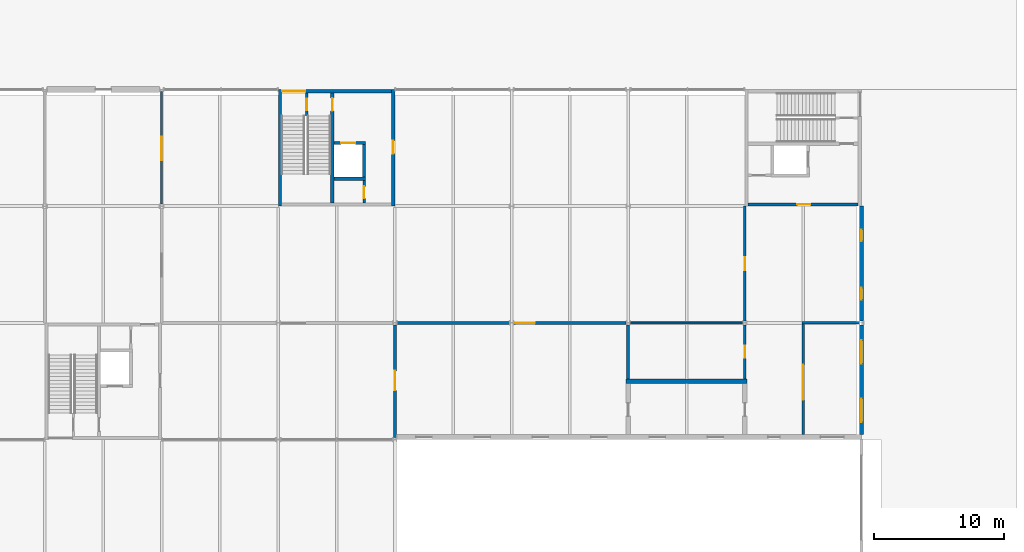
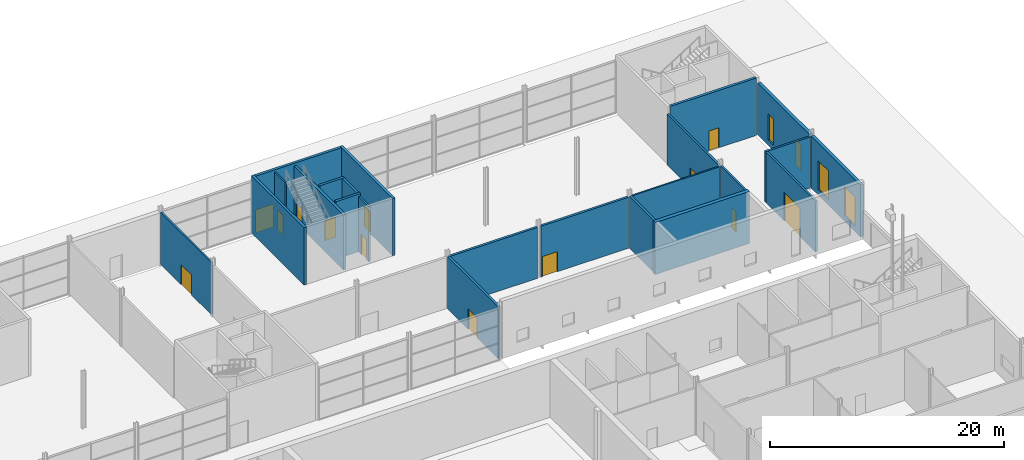
# One storey, part 79 of 97: 23 walls, 13 doors, 4 windows, 17 openings.
"""IFC4 building model written with IfcOpenShell, lengths in metres."""

from ifc_helpers import new_model, si_unit, direction, frame, frame_2d, origin, place, context, subcontext, project, spatial, rectangle, extrude, material, layer, layer_set, type_object, element, fill, save


model = new_model("IFC4")

# Units and contexts
model_context = context("Model", 3, precision=1e-05, world=origin(), true_north=direction((0.0, 1.0)))
body_context = subcontext(model_context, "Body", "Model", "MODEL_VIEW")
ifc_project = project(units=[si_unit("LENGTHUNIT", "METRE"), si_unit("AREAUNIT", "SQUARE_METRE"), si_unit("VOLUMEUNIT", "CUBIC_METRE"), si_unit("PLANEANGLEUNIT", "RADIAN"), si_unit("MASSUNIT", "GRAM", prefix="KILO")], contexts=[model_context])

# Site, building, storey
site_placement = place(None, origin())
site = spatial("IfcSite", under=ifc_project, at=site_placement, CompositionType="ELEMENT")
building_placement = place(site_placement, origin())
building = spatial("IfcBuilding", under=site, at=building_placement, Name="Corbel Yard City Hall", CompositionType="ELEMENT")
storey_placement = place(building_placement, origin())
storey = spatial("IfcBuildingStorey", under=building, at=storey_placement, Name="L00", CompositionType="ELEMENT", Elevation=0.0)

# Wall
ifc_material_1 = material(Name="Concrete N50 (50 MPa)", Category="concrete")
ifc_layer_1 = layer(ifc_material_1, 0.25)
ifc_layer_set_1 = layer_set([ifc_layer_1], Name="Concrete N50 (50 MPa)")
wall_type_1 = type_object("IfcWallType", Name="Core cell wall 250", PredefinedType="SHEAR", material=ifc_layer_set_1)
wall_1_placement = place(storey_placement, frame((135.125, 108.0, 0.0), z_axis=(0.0, 0.0, 1.0), x_axis=(0.0, 1.0, 0.0)))
element("IfcWall", 1, at=wall_1_placement, inside=storey, type_object=wall_type_1, Name="Core PC-N3 west wall", PredefinedType="SHEAR", context=body_context, shape_type="SweptSolid", body=[
    extrude(rectangle(XDim=9.0, YDim=0.25, at=frame_2d((4.5, 0.0))), origin(), (0.0, 0.0, 1.0), 6.0),
])

# Wall, opening, door
wall_2_placement = place(storey_placement, frame((143.875, 108.0, 0.0), z_axis=(0.0, 0.0, 1.0), x_axis=(0.0, 1.0, 0.0)))
wall_2 = element("IfcWall", 2, at=wall_2_placement, inside=storey, type_object=wall_type_1, Name="Core PC-N3 east wall", PredefinedType="SHEAR", context=body_context, shape_type="SweptSolid", body=[
    extrude(rectangle(XDim=9.0, YDim=0.25, at=frame_2d((4.5, 0.0))), origin(), (0.0, 0.0, 1.0), 6.0),
])
opening_1_placement = place(wall_2_placement, frame((4.050048828125, 0.0, 0.0)))
opening_1 = element("IfcOpeningElement", 3, at=opening_1_placement, cuts=wall_2, Name="Opening L00-212", PredefinedType="OPENING", context=body_context, shape_type="SweptSolid", body=[
    extrude(rectangle(XDim=1.0, YDim=2.10009765625, at=frame_2d((0.5, 1.050048828125))), frame((0.0, 0.135009765625, 0.0), z_axis=(0.0, -1.0, 0.0), x_axis=(1.0, 0.0, 0.0)), (0.0, 0.0, 1.0), 0.27001953125),
])
ifc_material_2 = material(Name="Steel Grade G250", Category="steel")
door_type_1 = type_object("IfcDoorType", Name="FS1", OperationType="SINGLE_SWING_LEFT", PredefinedType="DOOR", material=ifc_material_2)
door_1_placement = place(opening_1_placement, origin())
door_1 = element("IfcDoor", 4, at=door_1_placement, inside=storey, type_object=door_type_1, Name="Door Lift Lobby", OperationType="SINGLE_SWING_RIGHT", OverallHeight=2.10009765625, OverallWidth=1.0, PredefinedType="DOOR", context=body_context, shape_type="SweptSolid", body=[
    extrude(rectangle(XDim=1.0, YDim=2.10009765625, at=frame_2d((0.5, 1.050048828125))), frame((0.0, 0.02490234375, 0.0), z_axis=(0.0, -1.0, 0.0), x_axis=(1.0, 0.0, 0.0)), (0.0, 0.0, 1.0), 0.050048828125),
])
fill(opening_1, door_1)

wall_3_placement = place(storey_placement, frame((135.25, 116.875, 0.0), z_axis=(0.0, 0.0, 1.0), x_axis=(1.0, 0.0, 0.0)))
wall_3 = element("IfcWall", 5, at=wall_3_placement, inside=storey, type_object=wall_type_1, Name="Core PC-N3 north wall", PredefinedType="SHEAR", context=body_context, shape_type="SweptSolid", body=[
    extrude(rectangle(XDim=8.5, YDim=0.25, at=frame_2d((4.25, 0.0))), origin(), (0.0, 0.0, 1.0), 6.0),
])
opening_2_placement = place(wall_3_placement, frame((0.050048828125, 0.0, 0.0)))
opening_2 = element("IfcOpeningElement", 6, at=opening_2_placement, cuts=wall_3, Name="Opening L00-047", PredefinedType="OPENING", context=body_context, shape_type="SweptSolid", body=[
    extrude(rectangle(XDim=1.800048828125, YDim=2.39990234375, at=frame_2d((0.89990234375, 1.199951171875))), frame((0.0, 0.135009765625, 0.0), z_axis=(0.0, -1.0, 0.0), x_axis=(1.0, 0.0, 0.0)), (0.0, 0.0, 1.0), 0.27001953125),
])
ifc_material_3 = material(Name="Steel Grade G250, insulated infill", Category="steel")
door_type_2 = type_object("IfcDoorType", Name="XD2", OperationType="DOUBLE_DOOR_SINGLE_SWING", PredefinedType="DOOR", material=ifc_material_3)
door_2_placement = place(opening_2_placement, origin())
door_2 = element("IfcDoor", 7, at=door_2_placement, inside=storey, type_object=door_type_2, Name="Stair exit door PC-N3", OperationType="DOUBLE_DOOR_SINGLE_SWING", OverallHeight=2.39990234375, OverallWidth=1.800048828125, PredefinedType="DOOR", context=body_context, shape_type="SweptSolid", body=[
    extrude(rectangle(XDim=1.800048828125, YDim=2.39990234375, at=frame_2d((0.89990234375, 1.199951171875))), frame((0.0, 0.02490234375, 0.0), z_axis=(0.0, -1.0, 0.0), x_axis=(1.0, 0.0, 0.0)), (0.0, 0.0, 1.0), 0.050048828125),
])
fill(opening_2, door_2)

wall_4_placement = place(storey_placement, frame((171.25, 108.125, 0.0), z_axis=(0.0, 0.0, 1.0), x_axis=(1.0, 0.0, 0.0)))
wall_4 = element("IfcWall", 8, at=wall_4_placement, inside=storey, type_object=wall_type_1, Name="Core PC-N4 south wall", PredefinedType="SHEAR", context=body_context, shape_type="SweptSolid", body=[
    extrude(rectangle(XDim=8.5, YDim=0.25, at=frame_2d((4.25, 0.0))), origin(), (0.0, 0.0, 1.0), 6.0),
])
opening_3_placement = place(wall_4_placement, frame((3.800048828125, 0.0, 0.0)))
opening_3 = element("IfcOpeningElement", 9, at=opening_3_placement, cuts=wall_4, Name="Opening L00-213", PredefinedType="OPENING", context=body_context, shape_type="SweptSolid", body=[
    extrude(rectangle(XDim=1.0, YDim=2.10009765625, at=frame_2d((0.5, 1.050048828125))), frame((0.0, 0.135009765625, 0.0), z_axis=(0.0, -1.0, 0.0), x_axis=(1.0, 0.0, 0.0)), (0.0, 0.0, 1.0), 0.27001953125),
])
door_3_placement = place(opening_3_placement, origin())
door_3 = element("IfcDoor", 10, at=door_3_placement, inside=storey, type_object=door_type_1, Name="Door Lift Lobby", OperationType="SINGLE_SWING_RIGHT", OverallHeight=2.10009765625, OverallWidth=1.0, PredefinedType="DOOR", context=body_context, shape_type="SweptSolid", body=[
    extrude(rectangle(XDim=1.0, YDim=2.10009765625, at=frame_2d((0.5, 1.050048828125))), frame((0.0, 0.02490234375, 0.0), z_axis=(0.0, -1.0, 0.0), x_axis=(1.0, 0.0, 0.0)), (0.0, 0.0, 1.0), 0.050048828125),
])
fill(opening_3, door_3)

# Wall, openings, windows
ifc_material_4 = material(Name="Sandstone cladding", Category="masonry")
ifc_layer_2 = layer(ifc_material_4, 0.0400390625)
ifc_material_5 = material(Name="Air cavity", Category="air")
ifc_layer_3 = layer(ifc_material_5, 0.0400390625)
ifc_material_6 = material(Name="Concrete block", Category="concrete")
ifc_layer_4 = layer(ifc_material_6, 0.18994140625)
ifc_material_7 = material(Name="Gypsum plasterboard", Category="gypsum")
ifc_layer_5 = layer(ifc_material_7, 0.030029296875)
ifc_layer_set_2 = layer_set([ifc_layer_2, ifc_layer_3, ifc_layer_4, ifc_layer_5], Name="Concrete block")
wall_type_2 = type_object("IfcWallType", Name="EW1", PredefinedType="SOLIDWALL", material=ifc_layer_set_2)
wall_5_placement = place(storey_placement, frame((180.0, 90.39990234375, 0.0), z_axis=(0.0, 0.0, 1.0), x_axis=(0.0, 1.0, 0.0)))
wall_5 = element("IfcWall", 11, at=wall_5_placement, inside=storey, type_object=wall_type_2, Name="External wall", PredefinedType="SOLIDWALL", context=body_context, shape_type="SweptSolid", body=[
    extrude(rectangle(XDim=8.446533203125, YDim=0.300048828125, at=frame_2d((4.22314453125, 0.0))), origin(), (0.0, 0.0, 1.0), 5.444091796875),
])
opening_4_placement = place(wall_5_placement, frame((0.949951171875, 0.0, 0.60009765625)))
opening_4 = element("IfcOpeningElement", 12, at=opening_4_placement, cuts=wall_5, Name="Opening WN2", PredefinedType="OPENING", context=body_context, shape_type="SweptSolid", body=[
    extrude(rectangle(XDim=1.800048828125, YDim=3.0, at=frame_2d((0.89990234375, 1.5))), frame((0.0, 0.159912109375, 0.0), z_axis=(0.0, -1.0, 0.0), x_axis=(1.0, 0.0, 0.0)), (0.0, 0.0, 1.0), 0.320068359375),
])
opening_5_placement = place(wall_5_placement, frame((5.449951171875, 0.0, 0.60009765625)))
opening_5 = element("IfcOpeningElement", 13, at=opening_5_placement, cuts=wall_5, Name="Opening WN2", PredefinedType="OPENING", context=body_context, shape_type="SweptSolid", body=[
    extrude(rectangle(XDim=1.800048828125, YDim=3.0, at=frame_2d((0.89990234375, 1.5))), frame((0.0, 0.159912109375, 0.0), z_axis=(0.0, -1.0, 0.0), x_axis=(1.0, 0.0, 0.0)), (0.0, 0.0, 1.0), 0.320068359375),
])
ifc_material_8 = material(Name="Aluminium frame, double glazed low-e glass", Category="aluminium")
window_type_1 = type_object("IfcWindowType", Name="WN2", PartitioningType="SINGLE_PANEL", PredefinedType="WINDOW", material=ifc_material_8)
window_1_placement = place(opening_4_placement, origin())
window_1 = element("IfcWindow", 14, at=window_1_placement, inside=storey, type_object=window_type_1, Name="Window WN2 L00", OverallHeight=3.0, OverallWidth=1.800048828125, PartitioningType="SINGLE_PANEL", PredefinedType="WINDOW", context=body_context, shape_type="SweptSolid", body=[
    extrude(rectangle(XDim=1.800048828125, YDim=3.0, at=frame_2d((0.89990234375, 1.5))), frame((0.0, 0.030029296875, 0.0), z_axis=(0.0, -1.0, 0.0), x_axis=(1.0, 0.0, 0.0)), (0.0, 0.0, 1.0), 0.06005859375),
])
fill(opening_4, window_1)
window_2_placement = place(opening_5_placement, origin())
window_2 = element("IfcWindow", 15, at=window_2_placement, inside=storey, type_object=window_type_1, Name="Window WN2 L00", OverallHeight=3.0, OverallWidth=1.800048828125, PartitioningType="SINGLE_PANEL", PredefinedType="WINDOW", context=body_context, shape_type="SweptSolid", body=[
    extrude(rectangle(XDim=1.800048828125, YDim=3.0, at=frame_2d((0.89990234375, 1.5))), frame((0.0, 0.030029296875, 0.0), z_axis=(0.0, -1.0, 0.0), x_axis=(1.0, 0.0, 0.0)), (0.0, 0.0, 1.0), 0.06005859375),
])
fill(opening_5, window_2)

wall_6_placement = place(storey_placement, frame((180.0, 99.153564453125, 0.0), z_axis=(0.0, 0.0, 1.0), x_axis=(0.0, 1.0, 0.0)))
wall_6 = element("IfcWall", 16, at=wall_6_placement, inside=storey, type_object=wall_type_2, Name="External wall", PredefinedType="SOLIDWALL", context=body_context, shape_type="SweptSolid", body=[
    extrude(rectangle(XDim=8.846435546875, YDim=0.300048828125, at=frame_2d((4.42333984375, 0.0))), origin(), (0.0, 0.0, 1.0), 5.444091796875),
])
opening_6_placement = place(wall_6_placement, frame((1.646484375, 0.0, 0.60009765625)))
opening_6 = element("IfcOpeningElement", 17, at=opening_6_placement, cuts=wall_6, Name="Opening WN14", PredefinedType="OPENING", context=body_context, shape_type="SweptSolid", body=[
    extrude(rectangle(XDim=0.89990234375, YDim=2.699951171875, at=frame_2d((0.449951171875, 1.35009765625))), frame((0.0, 0.159912109375, 0.0), z_axis=(0.0, -1.0, 0.0), x_axis=(1.0, 0.0, 0.0)), (0.0, 0.0, 1.0), 0.320068359375),
])
opening_7_placement = place(wall_6_placement, frame((6.146484375, 0.0, 0.60009765625)))
opening_7 = element("IfcOpeningElement", 18, at=opening_7_placement, cuts=wall_6, Name="Opening WN14", PredefinedType="OPENING", context=body_context, shape_type="SweptSolid", body=[
    extrude(rectangle(XDim=0.89990234375, YDim=2.699951171875, at=frame_2d((0.449951171875, 1.35009765625))), frame((0.0, 0.159912109375, 0.0), z_axis=(0.0, -1.0, 0.0), x_axis=(1.0, 0.0, 0.0)), (0.0, 0.0, 1.0), 0.320068359375),
])
window_type_2 = type_object("IfcWindowType", Name="WN14", PartitioningType="SINGLE_PANEL", PredefinedType="WINDOW", material=ifc_material_8)
window_3_placement = place(opening_6_placement, origin())
window_3 = element("IfcWindow", 19, at=window_3_placement, inside=storey, type_object=window_type_2, Name="Window WN14 L00", OverallHeight=2.699951171875, OverallWidth=0.89990234375, PartitioningType="SINGLE_PANEL", PredefinedType="WINDOW", context=body_context, shape_type="SweptSolid", body=[
    extrude(rectangle(XDim=0.89990234375, YDim=2.699951171875, at=frame_2d((0.449951171875, 1.35009765625))), frame((0.0, 0.030029296875, 0.0), z_axis=(0.0, -1.0, 0.0), x_axis=(1.0, 0.0, 0.0)), (0.0, 0.0, 1.0), 0.06005859375),
])
fill(opening_6, window_3)
window_4_placement = place(opening_7_placement, origin())
window_4 = element("IfcWindow", 20, at=window_4_placement, inside=storey, type_object=window_type_2, Name="Window WN14 L00", OverallHeight=2.699951171875, OverallWidth=0.89990234375, PartitioningType="SINGLE_PANEL", PredefinedType="WINDOW", context=body_context, shape_type="SweptSolid", body=[
    extrude(rectangle(XDim=0.89990234375, YDim=2.699951171875, at=frame_2d((0.449951171875, 1.35009765625))), frame((0.0, 0.030029296875, 0.0), z_axis=(0.0, -1.0, 0.0), x_axis=(1.0, 0.0, 0.0)), (0.0, 0.0, 1.0), 0.06005859375),
])
fill(opening_7, window_4)

# Wall, opening, door
ifc_material_9 = material(Name="Concrete N40 (40 MPa)", Category="concrete")
ifc_layer_6 = layer(ifc_material_9, 0.25)
ifc_layer_set_3 = layer_set([ifc_layer_6], Name="Concrete N40 (40 MPa)")
wall_type_3 = type_object("IfcWallType", Name="IW2", PredefinedType="SOLIDWALL", material=ifc_layer_set_3)
wall_7_placement = place(storey_placement, frame((139.175048828125, 116.75, 0.0), z_axis=(0.0, 0.0, 1.0), x_axis=(0.0, -1.0, 0.0)))
wall_7 = element("IfcWall", 21, at=wall_7_placement, inside=storey, type_object=wall_type_3, Name="Stair enclosure wall", PredefinedType="SOLIDWALL", context=body_context, shape_type="SweptSolid", body=[
    extrude(rectangle(XDim=8.5, YDim=0.25, at=frame_2d((4.25, 0.0))), origin(), (0.0, 0.0, 1.0), 5.75),
])
opening_8_placement = place(wall_7_placement, frame((0.39990234375, 0.0, 0.0)))
opening_8 = element("IfcOpeningElement", 22, at=opening_8_placement, cuts=wall_7, Name="Opening L00-198", PredefinedType="OPENING", context=body_context, shape_type="SweptSolid", body=[
    extrude(rectangle(XDim=1.0, YDim=2.10009765625, at=frame_2d((0.5, 1.050048828125))), frame((0.0, 0.135009765625, 0.0), z_axis=(0.0, -1.0, 0.0), x_axis=(1.0, 0.0, 0.0)), (0.0, 0.0, 1.0), 0.27001953125),
])
door_4_placement = place(opening_8_placement, frame((1.0, 0.0, 0.0), z_axis=(0.0, 0.0, 1.0), x_axis=(-1.0, 0.0, 0.0)))
door_4 = element("IfcDoor", 23, at=door_4_placement, inside=storey, type_object=door_type_1, Name="Door Exit Stair 18", OperationType="SINGLE_SWING_RIGHT", OverallHeight=2.10009765625, OverallWidth=1.0, PredefinedType="DOOR", context=body_context, shape_type="SweptSolid", body=[
    extrude(rectangle(XDim=1.0, YDim=2.10009765625, at=frame_2d((0.5, 1.050048828125))), frame((0.0, 0.02490234375, 0.0), z_axis=(0.0, -1.0, 0.0), x_axis=(1.0, 0.0, 0.0)), (0.0, 0.0, 1.0), 0.050048828125),
])
fill(opening_8, door_4)

# Wall
wall_8_placement = place(storey_placement, frame((139.300048828125, 110.125, 0.0), z_axis=(0.0, 0.0, 1.0), x_axis=(1.0, 0.0, 0.0)))
element("IfcWall", 24, at=wall_8_placement, inside=storey, type_object=wall_type_3, Name="Lift LP18 shaft wall", PredefinedType="SOLIDWALL", context=body_context, shape_type="SweptSolid", body=[
    extrude(rectangle(XDim=2.449951171875, YDim=0.25, at=frame_2d((1.22509765625, 0.0))), origin(), (0.0, 0.0, 1.0), 6.0),
])

# Wall, opening, door
wall_9_placement = place(storey_placement, frame((139.300048828125, 112.875, 0.0), z_axis=(0.0, 0.0, 1.0), x_axis=(1.0, 0.0, 0.0)))
wall_9 = element("IfcWall", 25, at=wall_9_placement, inside=storey, type_object=wall_type_3, Name="Lift LP18 shaft wall", PredefinedType="SOLIDWALL", context=body_context, shape_type="SweptSolid", body=[
    extrude(rectangle(XDim=2.449951171875, YDim=0.25, at=frame_2d((1.22509765625, 0.0))), origin(), (0.0, 0.0, 1.0), 6.0),
])
opening_9_placement = place(wall_9_placement, frame((0.550048828125, 0.0, 0.0)))
opening_9 = element("IfcOpeningElement", 26, at=opening_9_placement, cuts=wall_9, Name="Opening L00-188", PredefinedType="OPENING", context=body_context, shape_type="SweptSolid", body=[
    extrude(rectangle(XDim=1.10009765625, YDim=2.10009765625, at=frame_2d((0.550048828125, 1.050048828125))), frame((0.0, 0.135009765625, 0.0), z_axis=(0.0, -1.0, 0.0), x_axis=(1.0, 0.0, 0.0)), (0.0, 0.0, 1.0), 0.27001953125),
])
ifc_material_10 = material(Name="Stainless steel Grade 316", Category="steel")
door_type_3 = type_object("IfcDoorType", Name="LD1", OperationType="DOUBLE_DOOR_SLIDING", PredefinedType="DOOR", material=ifc_material_10)
door_5_placement = place(opening_9_placement, origin())
door_5 = element("IfcDoor", 27, at=door_5_placement, inside=storey, type_object=door_type_3, Name="Lift LP18 landing door", OperationType="DOUBLE_DOOR_SLIDING", OverallHeight=2.10009765625, OverallWidth=1.10009765625, PredefinedType="DOOR", context=body_context, shape_type="SweptSolid", body=[
    extrude(rectangle(XDim=1.10009765625, YDim=2.10009765625, at=frame_2d((0.550048828125, 1.050048828125))), frame((0.0, 0.02490234375, 0.0), z_axis=(0.0, -1.0, 0.0), x_axis=(1.0, 0.0, 0.0)), (0.0, 0.0, 1.0), 0.050048828125),
])
fill(opening_9, door_5)

# Walls
wall_10_placement = place(storey_placement, frame((141.625, 110.25, 0.0), z_axis=(0.0, 0.0, 1.0), x_axis=(0.0, 1.0, 0.0)))
element("IfcWall", 28, at=wall_10_placement, inside=storey, type_object=wall_type_3, Name="Lift LP18 shaft wall", PredefinedType="SOLIDWALL", context=body_context, shape_type="SweptSolid", body=[
    extrude(rectangle(XDim=2.5, YDim=0.25, at=frame_2d((1.25, 0.0))), origin(), (0.0, 0.0, 1.0), 6.0),
])
ifc_layer_7 = layer(ifc_material_7, 0.031982421875)
ifc_material_11 = material(Name="Steel Grade G550 (550 MPa yield)", Category="steel")
ifc_layer_8 = layer(ifc_material_11, 0.135986328125)
ifc_layer_9 = layer(ifc_material_7, 0.031982421875)
ifc_layer_set_4 = layer_set([ifc_layer_7, ifc_layer_8, ifc_layer_9], Name="Steel Grade G550 (550 MPa yield)")
wall_type_4 = type_object("IfcWallType", Name="PT2", PredefinedType="PARTITIONING", material=ifc_layer_set_4)
wall_11_placement = place(storey_placement, frame((175.39990234375, 99.0, 0.0), z_axis=(0.0, 0.0, 1.0), x_axis=(1.0, 0.0, 0.0)))
element("IfcWall", 29, at=wall_11_placement, inside=storey, type_object=wall_type_4, Name="Acoustic wall", PredefinedType="PARTITIONING", context=body_context, shape_type="SweptSolid", body=[
    extrude(rectangle(XDim=4.442626953125, YDim=0.199951171875, at=frame_2d((2.22119140625, 0.0))), origin(), (0.0, 0.0, 1.0), 5.322021484375),
])

# Wall, opening, door
wall_12_placement = place(storey_placement, frame((171.0, 94.675048828125, 0.0), z_axis=(0.0, 0.0, 1.0), x_axis=(0.0, 1.0, 0.0)))
wall_12 = element("IfcWall", 30, at=wall_12_placement, inside=storey, type_object=wall_type_4, Name="Acoustic wall", PredefinedType="PARTITIONING", context=body_context, shape_type="SweptSolid", body=[
    extrude(rectangle(XDim=4.161376953125, YDim=0.199951171875, at=frame_2d((2.08056640625, 0.0))), origin(), (0.0, 0.0, 1.0), 5.447021484375),
])
opening_10_placement = place(wall_12_placement, frame((1.625, 0.0, 0.0)))
opening_10 = element("IfcOpeningElement", 31, at=opening_10_placement, cuts=wall_12, Name="Opening L00-236", PredefinedType="OPENING", context=body_context, shape_type="SweptSolid", body=[
    extrude(rectangle(XDim=0.919921875, YDim=2.10009765625, at=frame_2d((0.4599609375, 1.050048828125))), frame((0.0, 0.10986328125, 0.0), z_axis=(0.0, -1.0, 0.0), x_axis=(1.0, 0.0, 0.0)), (0.0, 0.0, 1.0), 0.219970703125),
])
ifc_material_12 = material(Name="Timber", Category="wood")
door_type_4 = type_object("IfcDoorType", Name="D5", OperationType="SINGLE_SWING_RIGHT", PredefinedType="DOOR", material=ifc_material_12)
door_6_placement = place(opening_10_placement, origin())
door_6 = element("IfcDoor", 32, at=door_6_placement, inside=storey, type_object=door_type_4, Name="Door Staff WC", OperationType="SINGLE_SWING_LEFT", OverallHeight=2.10009765625, OverallWidth=0.919921875, PredefinedType="DOOR", context=body_context, shape_type="SweptSolid", body=[
    extrude(rectangle(XDim=0.919921875, YDim=2.10009765625, at=frame_2d((0.4599609375, 1.050048828125))), frame((0.0, 0.02490234375, 0.0), z_axis=(0.0, -1.0, 0.0), x_axis=(1.0, 0.0, 0.0)), (0.0, 0.0, 1.0), 0.050048828125),
])
fill(opening_10, door_6)

wall_13_placement = place(storey_placement, frame((171.0, 99.16357421875, 0.0), z_axis=(0.0, 0.0, 1.0), x_axis=(0.0, 1.0, 0.0)))
wall_13 = element("IfcWall", 33, at=wall_13_placement, inside=storey, type_object=wall_type_4, Name="Acoustic wall", PredefinedType="PARTITIONING", context=body_context, shape_type="SweptSolid", body=[
    extrude(rectangle(XDim=8.83642578125, YDim=0.199951171875, at=frame_2d((4.418212890625, 0.0))), origin(), (0.0, 0.0, 1.0), 5.322021484375),
])
opening_11_placement = place(wall_13_placement, frame((3.886474609375, 0.0, 0.0)))
opening_11 = element("IfcOpeningElement", 34, at=opening_11_placement, cuts=wall_13, Name="Opening L00-238", PredefinedType="OPENING", context=body_context, shape_type="SweptSolid", body=[
    extrude(rectangle(XDim=1.0, YDim=2.10009765625, at=frame_2d((0.5, 1.050048828125))), frame((0.0, 0.10986328125, 0.0), z_axis=(0.0, -1.0, 0.0), x_axis=(1.0, 0.0, 0.0)), (0.0, 0.0, 1.0), 0.219970703125),
])
door_type_5 = type_object("IfcDoorType", Name="D1", OperationType="SINGLE_SWING_LEFT", PredefinedType="DOOR", material=ifc_material_12)
door_7_placement = place(opening_11_placement, frame((1.0, 0.0, 0.0), z_axis=(0.0, 0.0, 1.0), x_axis=(-1.0, 0.0, 0.0)))
door_7 = element("IfcDoor", 35, at=door_7_placement, inside=storey, type_object=door_type_5, Name="Door Back-of-house Corridor", OperationType="SINGLE_SWING_LEFT", OverallHeight=2.10009765625, OverallWidth=1.0, PredefinedType="DOOR", context=body_context, shape_type="SweptSolid", body=[
    extrude(rectangle(XDim=1.0, YDim=2.10009765625, at=frame_2d((0.5, 1.050048828125))), frame((0.0, 0.02490234375, 0.0), z_axis=(0.0, -1.0, 0.0), x_axis=(1.0, 0.0, 0.0)), (0.0, 0.0, 1.0), 0.050048828125),
])
fill(opening_11, door_7)

wall_14_placement = place(storey_placement, frame((175.5, 90.39990234375, 0.0), z_axis=(0.0, 0.0, 1.0), x_axis=(0.0, 1.0, 0.0)))
wall_14 = element("IfcWall", 36, at=wall_14_placement, inside=storey, type_object=wall_type_4, Name="Acoustic wall", PredefinedType="PARTITIONING", context=body_context, shape_type="SweptSolid", body=[
    extrude(rectangle(XDim=8.5, YDim=0.199951171875, at=frame_2d((4.25, 0.0))), origin(), (0.0, 0.0, 1.0), 5.322021484375),
])
opening_12_placement = place(wall_14_placement, frame((2.64990234375, 0.0, 0.0)))
opening_12 = element("IfcOpeningElement", 37, at=opening_12_placement, cuts=wall_14, Name="Opening L00-237", PredefinedType="OPENING", context=body_context, shape_type="SweptSolid", body=[
    extrude(rectangle(XDim=2.699951171875, YDim=3.0, at=frame_2d((1.35009765625, 1.5))), frame((0.0, 0.10986328125, 0.0), z_axis=(0.0, -1.0, 0.0), x_axis=(1.0, 0.0, 0.0)), (0.0, 0.0, 1.0), 0.219970703125),
])
door_type_6 = type_object("IfcDoorType", Name="D35", OperationType="ROLLINGUP", PredefinedType="DOOR", material=ifc_material_2)
door_8_placement = place(opening_12_placement, origin())
door_8 = element("IfcDoor", 38, at=door_8_placement, inside=storey, type_object=door_type_6, Name="Door Waste Room 2", OperationType="ROLLINGUP", OverallHeight=3.0, OverallWidth=2.699951171875, PredefinedType="DOOR", context=body_context, shape_type="SweptSolid", body=[
    extrude(rectangle(XDim=2.699951171875, YDim=3.0, at=frame_2d((1.35009765625, 1.5))), frame((0.0, 0.02490234375, 0.0), z_axis=(0.0, -1.0, 0.0), x_axis=(1.0, 0.0, 0.0)), (0.0, 0.0, 1.0), 0.050048828125),
])
fill(opening_12, door_8)

# Wall
ifc_material_13 = material(Name="Ceramic tile", Category="ceramic")
ifc_layer_10 = layer(ifc_material_13, 0.0048828125)
ifc_layer_11 = layer(ifc_material_6, 0.215087890625)
ifc_layer_12 = layer(ifc_material_13, 0.0048828125)
ifc_layer_set_5 = layer_set([ifc_layer_10, ifc_layer_11, ifc_layer_12], Name="Concrete block")
wall_type_5 = type_object("IfcWallType", Name="PT21", PredefinedType="PARTITIONING", material=ifc_layer_set_5)
wall_15_placement = place(storey_placement, frame((144.16357421875, 99.0, 0.0), z_axis=(0.0, 0.0, 1.0), x_axis=(1.0, 0.0, 0.0)))
element("IfcWall", 39, at=wall_15_placement, inside=storey, type_object=wall_type_5, Name="Hygienic block wall", PredefinedType="PARTITIONING", context=body_context, shape_type="SweptSolid", body=[
    extrude(rectangle(XDim=8.6728515625, YDim=0.22509765625, at=frame_2d((4.33642578125, 0.0))), origin(), (0.0, 0.0, 1.0), 5.322021484375),
])

# Wall, opening, door
wall_16_placement = place(storey_placement, frame((153.16357421875, 99.0, 0.0), z_axis=(0.0, 0.0, 1.0), x_axis=(1.0, 0.0, 0.0)))
wall_16 = element("IfcWall", 40, at=wall_16_placement, inside=storey, type_object=wall_type_5, Name="Hygienic block wall", PredefinedType="PARTITIONING", context=body_context, shape_type="SweptSolid", body=[
    extrude(rectangle(XDim=8.6728515625, YDim=0.22509765625, at=frame_2d((4.33642578125, 0.0))), origin(), (0.0, 0.0, 1.0), 5.322021484375),
])
opening_13_placement = place(wall_16_placement, frame((0.136474609375, 0.0, 0.0)))
opening_13 = element("IfcOpeningElement", 41, at=opening_13_placement, cuts=wall_16, Name="Opening L00-235", PredefinedType="OPENING", context=body_context, shape_type="SweptSolid", body=[
    extrude(rectangle(XDim=1.5, YDim=2.10009765625, at=frame_2d((0.75, 1.050048828125))), frame((0.0, 0.12255859375, 0.0), z_axis=(0.0, -1.0, 0.0), x_axis=(1.0, 0.0, 0.0)), (0.0, 0.0, 1.0), 0.2451171875),
])
door_type_7 = type_object("IfcDoorType", Name="D34", OperationType="DOUBLE_DOOR_SINGLE_SWING", PredefinedType="DOOR", material=ifc_material_12)
door_9_placement = place(opening_13_placement, origin())
door_9 = element("IfcDoor", 42, at=door_9_placement, inside=storey, type_object=door_type_7, Name="Door Kitchen", OperationType="DOUBLE_DOOR_SINGLE_SWING", OverallHeight=2.10009765625, OverallWidth=1.5, PredefinedType="DOOR", context=body_context, shape_type="SweptSolid", body=[
    extrude(rectangle(XDim=1.5, YDim=2.10009765625, at=frame_2d((0.75, 1.050048828125))), frame((0.0, 0.02490234375, 0.0), z_axis=(0.0, -1.0, 0.0), x_axis=(1.0, 0.0, 0.0)), (0.0, 0.0, 1.0), 0.050048828125),
])
fill(opening_13, door_9)

wall_17_placement = place(storey_placement, frame((144.0, 90.157470703125, 0.0), z_axis=(0.0, 0.0, 1.0), x_axis=(0.0, 1.0, 0.0)))
wall_17 = element("IfcWall", 43, at=wall_17_placement, inside=storey, type_object=wall_type_5, Name="Hygienic block wall", PredefinedType="PARTITIONING", context=body_context, shape_type="SweptSolid", body=[
    extrude(rectangle(XDim=8.678955078125, YDim=0.22509765625, at=frame_2d((4.33935546875, 0.0))), origin(), (0.0, 0.0, 1.0), 5.447021484375),
])
opening_14_placement = place(wall_17_placement, frame((3.642578125, 0.0, 0.0)))
opening_14 = element("IfcOpeningElement", 44, at=opening_14_placement, cuts=wall_17, Name="Opening L00-232", PredefinedType="OPENING", context=body_context, shape_type="SweptSolid", body=[
    extrude(rectangle(XDim=1.5, YDim=2.10009765625, at=frame_2d((0.75, 1.050048828125))), frame((0.0, 0.12255859375, 0.0), z_axis=(0.0, -1.0, 0.0), x_axis=(1.0, 0.0, 0.0)), (0.0, 0.0, 1.0), 0.2451171875),
])
door_10_placement = place(opening_14_placement, origin())
door_10 = element("IfcDoor", 45, at=door_10_placement, inside=storey, type_object=door_type_7, Name="Door Kitchen", OperationType="DOUBLE_DOOR_SINGLE_SWING", OverallHeight=2.10009765625, OverallWidth=1.5, PredefinedType="DOOR", context=body_context, shape_type="SweptSolid", body=[
    extrude(rectangle(XDim=1.5, YDim=2.10009765625, at=frame_2d((0.75, 1.050048828125))), frame((0.0, 0.02490234375, 0.0), z_axis=(0.0, -1.0, 0.0), x_axis=(1.0, 0.0, 0.0)), (0.0, 0.0, 1.0), 0.050048828125),
])
fill(opening_14, door_10)

# Walls
wall_18_placement = place(storey_placement, frame((162.0, 94.675048828125, 0.0), z_axis=(0.0, 0.0, 1.0), x_axis=(0.0, 1.0, 0.0)))
element("IfcWall", 46, at=wall_18_placement, inside=storey, type_object=wall_type_5, Name="Hygienic block wall", PredefinedType="PARTITIONING", context=body_context, shape_type="SweptSolid", body=[
    extrude(rectangle(XDim=4.161376953125, YDim=0.22509765625, at=frame_2d((2.08056640625, 0.0))), origin(), (0.0, 0.0, 1.0), 5.447021484375),
])
ifc_layer_13 = layer(ifc_material_6, 0.199951171875)
ifc_material_14 = material(Name="Polyisocyanurate insulation", Category="insulation")
ifc_layer_14 = layer(ifc_material_14, 0.10009765625)
ifc_layer_15 = layer(ifc_material_10, 0.050048828125)
ifc_layer_set_6 = layer_set([ifc_layer_13, ifc_layer_14, ifc_layer_15], Name="Concrete block")
wall_type_6 = type_object("IfcWallType", Name="PT22", PredefinedType="PARTITIONING", material=ifc_layer_set_6)
wall_19_placement = place(storey_placement, frame((161.824951171875, 94.5, 0.0), z_axis=(0.0, 0.0, 1.0), x_axis=(1.0, 0.0, 0.0)))
element("IfcWall", 47, at=wall_19_placement, inside=storey, type_object=wall_type_6, Name="Cold room wall", PredefinedType="PARTITIONING", context=body_context, shape_type="SweptSolid", body=[
    extrude(rectangle(XDim=9.35009765625, YDim=0.35009765625, at=frame_2d((4.675048828125, 0.0))), origin(), (0.0, 0.0, 1.0), 5.447021484375),
])

# Wall, opening, door
ifc_layer_16 = layer(ifc_material_7, 0.031982421875)
ifc_layer_17 = layer(ifc_material_11, 0.095947265625)
ifc_layer_18 = layer(ifc_material_7, 0.031982421875)
ifc_layer_set_7 = layer_set([ifc_layer_16, ifc_layer_17, ifc_layer_18], Name="Steel Grade G550 (550 MPa yield)")
wall_type_7 = type_object("IfcWallType", Name="PT3", PredefinedType="PARTITIONING", material=ifc_layer_set_7)
wall_20_placement = place(storey_placement, frame((137.199951171875, 116.75, 0.0), z_axis=(0.0, 0.0, 1.0), x_axis=(0.0, -1.0, 0.0)))
wall_20 = element("IfcWall", 48, at=wall_20_placement, inside=storey, type_object=wall_type_7, Name="Stair screen wall", PredefinedType="PARTITIONING", context=body_context, shape_type="SweptSolid", body=[
    extrude(rectangle(XDim=1.800048828125, YDim=0.159912109375, at=frame_2d((0.89990234375, 0.0))), origin(), (0.0, 0.0, 1.0), 5.75),
])
opening_15_placement = place(wall_20_placement, frame((0.43994140625, 0.0, 0.0)))
opening_15 = element("IfcOpeningElement", 49, at=opening_15_placement, cuts=wall_20, Name="Opening L00-200", PredefinedType="OPENING", context=body_context, shape_type="SweptSolid", body=[
    extrude(rectangle(XDim=0.919921875, YDim=2.10009765625, at=frame_2d((0.4599609375, 1.050048828125))), frame((0.0, 0.08984375, 0.0), z_axis=(0.0, -1.0, 0.0), x_axis=(1.0, 0.0, 0.0)), (0.0, 0.0, 1.0), 0.179931640625),
])
door_type_8 = type_object("IfcDoorType", Name="FD5", OperationType="SINGLE_SWING_RIGHT", PredefinedType="DOOR", material=ifc_material_2)
door_11_placement = place(opening_15_placement, origin())
door_11 = element("IfcDoor", 50, at=door_11_placement, inside=storey, type_object=door_type_8, Name="Door stair screen", OperationType="SINGLE_SWING_LEFT", OverallHeight=2.10009765625, OverallWidth=0.919921875, PredefinedType="DOOR", context=body_context, shape_type="SweptSolid", body=[
    extrude(rectangle(XDim=0.919921875, YDim=2.10009765625, at=frame_2d((0.4599609375, 1.050048828125))), frame((0.0, 0.02490234375, 0.0), z_axis=(0.0, -1.0, 0.0), x_axis=(1.0, 0.0, 0.0)), (0.0, 0.0, 1.0), 0.050048828125),
])
fill(opening_15, door_11)

wall_21_placement = place(storey_placement, frame((126.0, 108.16357421875, 0.0), z_axis=(0.0, 0.0, 1.0), x_axis=(0.0, 1.0, 0.0)))
wall_21 = element("IfcWall", 51, at=wall_21_placement, inside=storey, type_object=wall_type_7, Name="Fire-resisting wall", PredefinedType="PARTITIONING", context=body_context, shape_type="SweptSolid", body=[
    extrude(rectangle(XDim=8.678955078125, YDim=0.159912109375, at=frame_2d((4.33935546875, 0.0))), origin(), (0.0, 0.0, 1.0), 5.447021484375),
])
opening_16_placement = place(wall_21_placement, frame((3.386474609375, 0.0, 0.0)))
opening_16 = element("IfcOpeningElement", 52, at=opening_16_placement, cuts=wall_21, Name="Opening L00-230", PredefinedType="OPENING", context=body_context, shape_type="SweptSolid", body=[
    extrude(rectangle(XDim=1.800048828125, YDim=2.10009765625, at=frame_2d((0.89990234375, 1.050048828125))), frame((0.0, 0.08984375, 0.0), z_axis=(0.0, -1.0, 0.0), x_axis=(1.0, 0.0, 0.0)), (0.0, 0.0, 1.0), 0.179931640625),
])
door_type_9 = type_object("IfcDoorType", Name="FD3", OperationType="DOUBLE_DOOR_SINGLE_SWING", PredefinedType="DOOR", material=ifc_material_2)
door_12_placement = place(opening_16_placement, origin())
door_12 = element("IfcDoor", 53, at=door_12_placement, inside=storey, type_object=door_type_9, Name="Door Staff Restaurant", OperationType="DOUBLE_DOOR_SINGLE_SWING", OverallHeight=2.10009765625, OverallWidth=1.800048828125, PredefinedType="DOOR", context=body_context, shape_type="SweptSolid", body=[
    extrude(rectangle(XDim=1.800048828125, YDim=2.10009765625, at=frame_2d((0.89990234375, 1.050048828125))), frame((0.0, 0.02490234375, 0.0), z_axis=(0.0, -1.0, 0.0), x_axis=(1.0, 0.0, 0.0)), (0.0, 0.0, 1.0), 0.050048828125),
])
fill(opening_16, door_12)

ifc_material_15 = material(Name="Concrete block", Category="concrete")
ifc_layer_19 = layer(ifc_material_15, 0.18994140625)
ifc_layer_set_8 = layer_set([ifc_layer_19], Name="Concrete block")
wall_type_8 = type_object("IfcWallType", Name="PT4", PredefinedType="PARTITIONING", material=ifc_layer_set_8)
wall_22_placement = place(storey_placement, frame((141.625, 108.25, 0.0), z_axis=(0.0, 0.0, 1.0), x_axis=(0.0, 1.0, 0.0)))
wall_22 = element("IfcWall", 54, at=wall_22_placement, inside=storey, type_object=wall_type_8, Name="Fire-resisting block wall", PredefinedType="PARTITIONING", context=body_context, shape_type="SweptSolid", body=[
    extrude(rectangle(XDim=1.75, YDim=0.18994140625, at=frame_2d((0.875, 0.0))), origin(), (0.0, 0.0, 1.0), 5.75),
])
opening_17_placement = place(wall_22_placement, frame((0.3525390625, 0.0, 0.0)))
opening_17 = element("IfcOpeningElement", 55, at=opening_17_placement, cuts=wall_22, Name="Opening L00-199", PredefinedType="OPENING", context=body_context, shape_type="SweptSolid", body=[
    extrude(rectangle(XDim=0.919921875, YDim=2.10009765625, at=frame_2d((0.4599609375, 1.050048828125))), frame((0.0, 0.10498046875, 0.0), z_axis=(0.0, -1.0, 0.0), x_axis=(1.0, 0.0, 0.0)), (0.0, 0.0, 1.0), 0.2099609375),
])
door_type_10 = type_object("IfcDoorType", Name="FS5", OperationType="SINGLE_SWING_RIGHT", PredefinedType="DOOR", material=ifc_material_2)
door_13_placement = place(opening_17_placement, origin())
door_13 = element("IfcDoor", 56, at=door_13_placement, inside=storey, type_object=door_type_10, Name="Door Service Riser", OperationType="SINGLE_SWING_LEFT", OverallHeight=2.10009765625, OverallWidth=0.919921875, PredefinedType="DOOR", context=body_context, shape_type="SweptSolid", body=[
    extrude(rectangle(XDim=0.919921875, YDim=2.10009765625, at=frame_2d((0.4599609375, 1.050048828125))), frame((0.0, 0.02490234375, 0.0), z_axis=(0.0, -1.0, 0.0), x_axis=(1.0, 0.0, 0.0)), (0.0, 0.0, 1.0), 0.050048828125),
])
fill(opening_17, door_13)

# Wall
ifc_layer_20 = layer(ifc_material_7, 0.031982421875)
ifc_layer_21 = layer(ifc_material_11, 0.0859375)
ifc_layer_22 = layer(ifc_material_7, 0.031982421875)
ifc_layer_set_9 = layer_set([ifc_layer_20, ifc_layer_21, ifc_layer_22], Name="Steel Grade G550 (550 MPa yield)")
wall_type_9 = type_object("IfcWallType", Name="PT7", PredefinedType="PARTITIONING", material=ifc_layer_set_9)
wall_23_placement = place(storey_placement, frame((162.16357421875, 99.0, 0.0), z_axis=(0.0, 0.0, 1.0), x_axis=(1.0, 0.0, 0.0)))
element("IfcWall", 57, at=wall_23_placement, inside=storey, type_object=wall_type_9, Name="Suite partition", PredefinedType="PARTITIONING", context=body_context, shape_type="SweptSolid", body=[
    extrude(rectangle(XDim=8.6728515625, YDim=0.14990234375, at=frame_2d((4.33642578125, 0.0))), origin(), (0.0, 0.0, 1.0), 5.322021484375),
])

save(model, "model.ifc")
